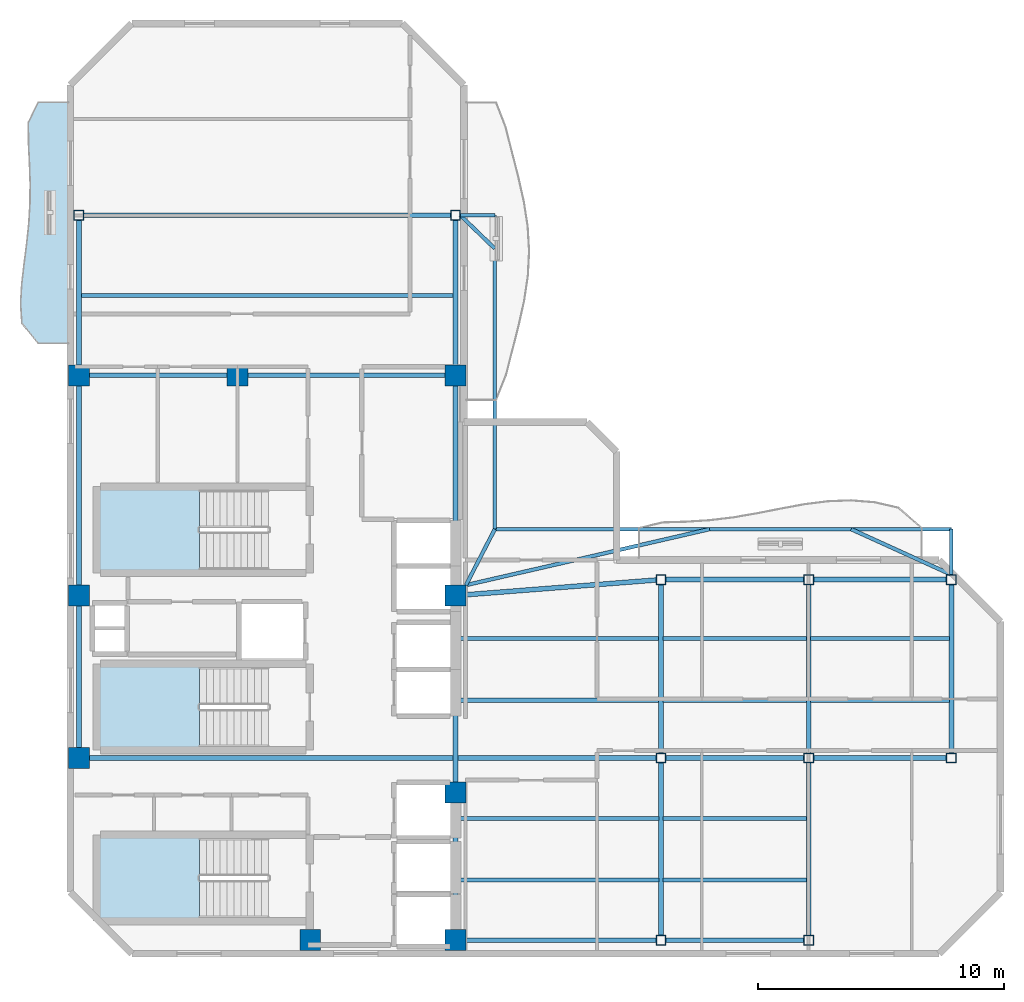
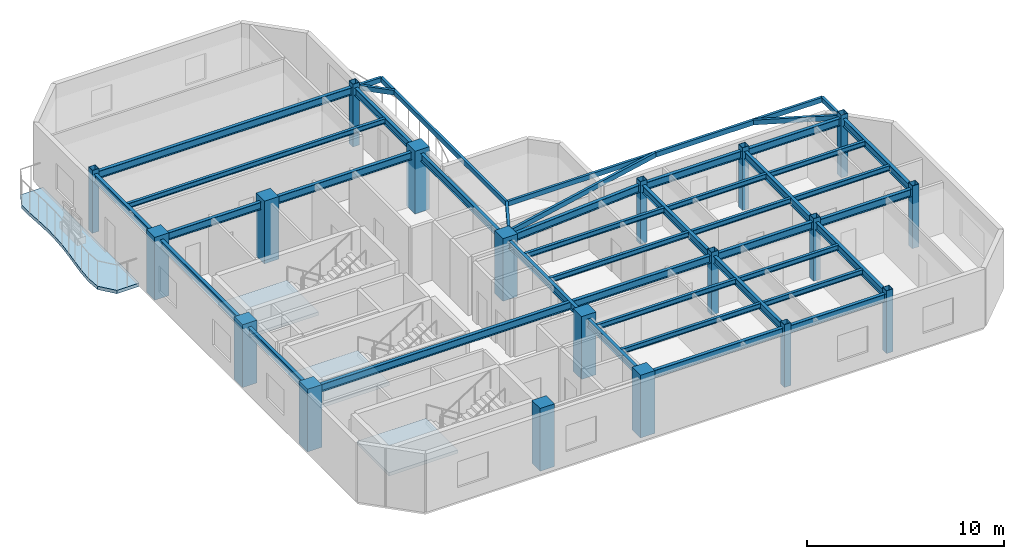
# One storey, part 1 of 7: 42 beams, 19 columns, 4 slabs, 3 elements without a shape of their own.
"""IFC4 building model written with IfcOpenShell, lengths in metres."""

from ifc_helpers import new_model, si_unit, direction, frame, origin, origin_2d, place, context, subcontext, project, spatial, polyline, rectangle, hollow_rectangle, i_section, outline, extrude, material, layer, layer_set, material_profile, profile_set, type_object, element, aggregate, save


model = new_model("IFC4")

# Units and contexts
model_context = context("Model", 3, precision=1e-05, world=origin(), true_north=direction((0.0, 1.0)))
body_context = subcontext(model_context, "Body", "Model", "MODEL_VIEW")
ifc_project = project(units=[si_unit("LENGTHUNIT", "METRE"), si_unit("AREAUNIT", "SQUARE_METRE"), si_unit("VOLUMEUNIT", "CUBIC_METRE"), si_unit("PLANEANGLEUNIT", "RADIAN"), si_unit("MASSUNIT", "GRAM", prefix="KILO")], contexts=[model_context])

# Site, building, storey
site_placement = place(None, origin())
site = spatial("IfcSite", under=ifc_project, at=site_placement, CompositionType="ELEMENT")
building_placement = place(site_placement, origin())
building = spatial("IfcBuilding", under=site, at=building_placement, Name="Mawjaban Terraces University", CompositionType="ELEMENT")
storey_placement = place(building_placement, frame((0.0, 0.0, 302.800048828125)))
storey = spatial("IfcBuildingStorey", under=building, at=storey_placement, Name="L74", CompositionType="ELEMENT", Elevation=302.800048828125)

# Columns
ifc_material_1 = material(Name="Concrete C50/60", Category="concrete")
ifc_material_profile_1 = material_profile(ifc_material_1, rectangle(XDim=0.85009765625, YDim=0.85009765625, at=origin_2d()), Name="RC850X850")
ifc_profile_set_1 = profile_set([ifc_material_profile_1], Name="Concrete C50/60")
column_type_1 = type_object("IfcColumnType", Name="Col_RC850X850", PredefinedType="COLUMN", material=ifc_profile_set_1)
for number, where, z_axis, x_axis, name in (
    (1, (31.75, 0.550048828125, 0.0), (0.0, 0.0, 1.0), (1.0, 0.0, 0.0), "L74 Column CC2"),
    (2, (37.64990234375, 0.550048828125, 0.0), (0.0, 0.0, 1.0), (1.0, 0.0, 0.0), "L74 Column CC3"),
    (3, (22.35009765625, 7.949951171875, 0.0), (0.0, 0.0, 1.0), (1.0, 0.0, 0.0), "L74 Column CC4"),
    (4, (37.64990234375, 6.550048828125, 0.0), (0.0, 0.0, 1.0), (1.0, 0.0, 0.0), "L74 Column CC5"),
    (5, (22.35009765625, 14.550048828125, 0.0), (0.0, 0.0, 1.0), (1.0, 0.0, 0.0), "L74 Column CC6"),
    (6, (37.64990234375, 14.550048828125, 0.0), (0.0, 0.0, 1.0), (1.0, 0.0, 0.0), "L74 Column CC7"),
    (7, (22.35009765625, 23.5, 0.0), (0.0, 0.0, 1.0), (1.0, 0.0, 0.0), "L74 Column CC8"),
    (8, (28.800048828125, 23.5, 0.0), (0.0, 0.0, 1.0), (1.0, 0.0, 0.0), "L74 Column CC9"),
    (9, (37.64990234375, 23.5, 0.0), (0.0, 0.0, 1.0), (1.0, 0.0, 0.0), "L74 Column CC10"),
):
    element("IfcColumn", number, at=place(storey_placement, frame(where, z_axis=z_axis, x_axis=x_axis)), inside=storey, type_object=column_type_1, Name=name, PredefinedType="COLUMN", context=body_context, shape_type="SweptSolid", body=[
        extrude(rectangle(XDim=0.85009765625, YDim=0.85009765625, at=origin_2d()), origin(), (0.0, 0.0, 1.0), 3.89990234375),
    ])
ifc_material_2 = material(Name="Steel EN 10210-1 S355J2H", Category="steel")
ifc_material_profile_2 = material_profile(ifc_material_2, hollow_rectangle(XDim=0.39990234375, YDim=0.39990234375, WallThickness=0.02001953125, at=origin_2d()), Name="SHS400X400X20")
ifc_profile_set_2 = profile_set([ifc_material_profile_2], Name="Steel EN 10210-1 S355J2H")
column_type_2 = type_object("IfcColumnType", Name="Col_SHS400X400X20", PredefinedType="COLUMN", material=ifc_profile_set_2)
for number, where, z_axis, x_axis, name in (
    (10, (46.0, 0.550048828125, 0.0), (0.0, 0.0, 1.0), (1.0, 0.0, 0.0), "L74 Column TE-460-005"),
    (11, (46.0, 7.949951171875, 0.0), (0.0, 0.0, 1.0), (1.0, 0.0, 0.0), "L74 Column TE-460-080"),
    (12, (46.0, 15.199951171875, 0.0), (0.0, 0.0, 1.0), (1.0, 0.0, 0.0), "L74 Column TE-460-152"),
    (13, (52.0, 0.550048828125, 0.0), (0.0, 0.0, 1.0), (1.0, 0.0, 0.0), "L74 Column TE-520-005"),
    (14, (52.0, 7.949951171875, 0.0), (0.0, 0.0, 1.0), (1.0, 0.0, 0.0), "L74 Column TE-520-080"),
    (15, (52.0, 15.199951171875, 0.0), (0.0, 0.0, 1.0), (1.0, 0.0, 0.0), "L74 Column TE-520-152"),
    (16, (57.800048828125, 7.949951171875, 0.0), (0.0, 0.0, 1.0), (1.0, 0.0, 0.0), "L74 Column TE-578-080"),
    (17, (57.800048828125, 15.199951171875, 0.0), (0.0, 0.0, 1.0), (1.0, 0.0, 0.0), "L74 Column TE-578-152"),
    (18, (22.35009765625, 30.0, 0.0), (0.0, 0.0, 1.0), (1.0, 0.0, 0.0), "L74 Column TN-223-300"),
    (19, (37.64990234375, 30.0, 0.0), (0.0, 0.0, 1.0), (1.0, 0.0, 0.0), "L74 Column TN-376-300"),
):
    element("IfcColumn", number, at=place(storey_placement, frame(where, z_axis=z_axis, x_axis=x_axis)), inside=storey, type_object=column_type_2, Name=name, PredefinedType="COLUMN", context=body_context, shape_type="SweptSolid", body=[
        extrude(hollow_rectangle(XDim=0.39990234375, YDim=0.39990234375, WallThickness=0.02001953125, at=origin_2d()), origin(), (0.0, 0.0, 1.0), 3.89990234375),
    ])

# Beams
ifc_material_profile_3 = material_profile(ifc_material_2, hollow_rectangle(XDim=0.14990234375, YDim=0.300048828125, WallThickness=0.012451171875, at=origin_2d()), Name="RHS300X150X12.5")
ifc_profile_set_3 = profile_set([ifc_material_profile_3], Name="Steel EN 10210-1 S355J2H")
beam_type_1 = type_object("IfcBeamType", Name="BalconyCantileverSpandrel_RHS", PredefinedType="SPANDREL", material=ifc_profile_set_3)
beam_1_placement = place(storey_placement, frame((38.074951171875, 14.97509765625, 3.489990234375), z_axis=(0.458922210771, 0.88847645127, 0.0), x_axis=(-0.88847645127, 0.458922210771, 0.0)))
element("IfcBeam", 20, at=beam_1_placement, inside=storey, type_object=beam_type_1, Name="L74 Corner Outrigger BAL-L75-N", PredefinedType="SPANDREL", context=body_context, shape_type="SweptSolid", body=[
    extrude(hollow_rectangle(XDim=0.14990234375, YDim=0.300048828125, WallThickness=0.012451171875, at=origin_2d()), origin(), (0.0, 0.0, 1.0), 2.560546875),
])
beam_2_placement = place(storey_placement, frame((57.800048828125, 15.39990234375, 3.489990234375), z_axis=(0.0, 1.0, 0.0), x_axis=(-1.0, 0.0, 0.0)))
element("IfcBeam", 21, at=beam_2_placement, inside=storey, type_object=beam_type_1, Name="L74 Exterior Outrigger BAL-L75-N.2", PredefinedType="SPANDREL", context=body_context, shape_type="SweptSolid", body=[
    extrude(hollow_rectangle(XDim=0.14990234375, YDim=0.300048828125, WallThickness=0.012451171875, at=origin_2d()), origin(), (0.0, 0.0, 1.0), 1.85009765625),
])
beam_3_placement = place(storey_placement, frame((39.25, 17.25, 3.489990234375), z_axis=(1.0, 0.0, 0.0), x_axis=(0.0, 1.0, 0.0)))
element("IfcBeam", 22, at=beam_3_placement, inside=storey, type_object=beam_type_1, Name="L74 Exterior Edge Spandrel BAL-L75-N", PredefinedType="SPANDREL", context=body_context, shape_type="SweptSolid", body=[
    extrude(hollow_rectangle(XDim=0.14990234375, YDim=0.300048828125, WallThickness=0.012451171875, at=origin_2d()), origin(), (0.0, 0.0, 1.0), 18.550048828125),
])
beam_4_placement = place(storey_placement, frame((38.074951171875, 14.97509765625, 3.489990234375), z_axis=(0.974600999447, 0.223948413426, 0.0), x_axis=(-0.223948413426, 0.974600999447, 0.0)))
element("IfcBeam", 23, at=beam_4_placement, inside=storey, type_object=beam_type_1, Name="L74 Exterior Diagonal Strut BAL-L75-N.1", PredefinedType="SPANDREL", context=body_context, shape_type="SweptSolid", body=[
    extrude(hollow_rectangle(XDim=0.14990234375, YDim=0.300048828125, WallThickness=0.012451171875, at=origin_2d()), origin(), (0.0, 0.0, 1.0), 10.158203125),
])
beam_5_placement = place(storey_placement, frame((57.800048828125, 15.39990234375, 3.489990234375), z_axis=(-0.910547611438, 0.413404217811, 0.0), x_axis=(-0.413404217811, -0.910547611438, 0.0)))
element("IfcBeam", 24, at=beam_5_placement, inside=storey, type_object=beam_type_1, Name="L74 Exterior Diagonal Strut BAL-L75-N.2", PredefinedType="SPANDREL", context=body_context, shape_type="SweptSolid", body=[
    extrude(hollow_rectangle(XDim=0.14990234375, YDim=0.300048828125, WallThickness=0.012451171875, at=origin_2d()), origin(), (0.0, 0.0, 1.0), 4.475341796875),
])
beam_6_placement = place(storey_placement, frame((37.85009765625, 30.0, 3.489990234375), z_axis=(1.0, 0.0, 0.0), x_axis=(0.0, 1.0, 0.0)))
element("IfcBeam", 25, at=beam_6_placement, inside=storey, type_object=beam_type_1, Name="L74 Exterior Outrigger BAL-L75-E.2", PredefinedType="SPANDREL", context=body_context, shape_type="SweptSolid", body=[
    extrude(hollow_rectangle(XDim=0.14990234375, YDim=0.300048828125, WallThickness=0.012451171875, at=origin_2d()), origin(), (0.0, 0.0, 1.0), 1.39990234375),
])
beam_7_placement = place(storey_placement, frame((39.25, 17.25, 3.489990234375), z_axis=(0.0, 1.0, 0.0), x_axis=(-1.0, 0.0, 0.0)))
element("IfcBeam", 26, at=beam_7_placement, inside=storey, type_object=beam_type_1, Name="L74 Exterior Edge Spandrel BAL-L75-E", PredefinedType="SPANDREL", context=body_context, shape_type="SweptSolid", body=[
    extrude(hollow_rectangle(XDim=0.14990234375, YDim=0.300048828125, WallThickness=0.012451171875, at=origin_2d()), origin(), (0.0, 0.0, 1.0), 12.75),
])
beam_8_placement = place(storey_placement, frame((37.85009765625, 30.0, 3.489990234375), z_axis=(0.719795010433, -0.69418667731, 0.0), x_axis=(0.69418667731, 0.719795010433, 0.0)))
element("IfcBeam", 27, at=beam_8_placement, inside=storey, type_object=beam_type_1, Name="L74 Exterior Diagonal Strut BAL-L75-E.1", PredefinedType="SPANDREL", context=body_context, shape_type="SweptSolid", body=[
    extrude(hollow_rectangle(XDim=0.14990234375, YDim=0.300048828125, WallThickness=0.012451171875, at=origin_2d()), origin(), (0.0, 0.0, 1.0), 1.94482421875),
])
ifc_material_3 = material(Name="Steel ASTM A572 Grade 50", Category="steel")
ifc_material_profile_4 = material_profile(ifc_material_3, i_section(OverallWidth=0.194091796875, OverallDepth=0.468994140625, WebThickness=0.011474609375, FlangeThickness=0.0205078125, at=origin_2d()), Name="W460X106")
ifc_profile_set_4 = profile_set([ifc_material_profile_4], Name="Steel ASTM A572 Grade 50")
beam_type_2 = type_object("IfcBeamType", Name="Beam_B_W460X106", PredefinedType="BEAM", material=ifc_profile_set_4)
beam_9_placement = place(storey_placement, frame((38.074951171875, 0.550048828125, 3.405029296875), z_axis=(1.0, 0.0, 0.0), x_axis=(0.0, 1.0, 0.0)))
element("IfcBeam", 28, at=beam_9_placement, inside=storey, type_object=beam_type_2, Name="L74 Beam BM-L74-EW-01", PredefinedType="BEAM", context=body_context, shape_type="SweptSolid", body=[
    extrude(i_section(OverallWidth=0.194091796875, OverallDepth=0.468994140625, WebThickness=0.011474609375, FlangeThickness=0.0205078125, at=origin_2d()), origin(), (0.0, 0.0, 1.0), 7.72509765625),
])
beam_10_placement = place(storey_placement, frame((46.199951171875, 0.550048828125, 3.405029296875), z_axis=(1.0, 0.0, 0.0), x_axis=(0.0, 1.0, 0.0)))
element("IfcBeam", 29, at=beam_10_placement, inside=storey, type_object=beam_type_2, Name="L74 Beam BM-L74-EW-02", PredefinedType="BEAM", context=body_context, shape_type="SweptSolid", body=[
    extrude(i_section(OverallWidth=0.194091796875, OverallDepth=0.468994140625, WebThickness=0.011474609375, FlangeThickness=0.0205078125, at=origin_2d()), origin(), (0.0, 0.0, 1.0), 5.60009765625),
])
beam_11_placement = place(storey_placement, frame((22.77490234375, 7.949951171875, 3.405029296875), z_axis=(1.0, 0.0, 0.0), x_axis=(0.0, 1.0, 0.0)))
element("IfcBeam", 30, at=beam_11_placement, inside=storey, type_object=beam_type_2, Name="L74 Beam BM-L74-EW-03", PredefinedType="BEAM", context=body_context, shape_type="SweptSolid", body=[
    extrude(i_section(OverallWidth=0.194091796875, OverallDepth=0.468994140625, WebThickness=0.011474609375, FlangeThickness=0.0205078125, at=origin_2d()), origin(), (0.0, 0.0, 1.0), 23.025146484375),
])
beam_12_placement = place(storey_placement, frame((46.199951171875, 7.949951171875, 3.405029296875), z_axis=(1.0, 0.0, 0.0), x_axis=(0.0, 1.0, 0.0)))
element("IfcBeam", 31, at=beam_12_placement, inside=storey, type_object=beam_type_2, Name="L74 Beam BM-L74-EW-04", PredefinedType="BEAM", context=body_context, shape_type="SweptSolid", body=[
    extrude(i_section(OverallWidth=0.194091796875, OverallDepth=0.468994140625, WebThickness=0.011474609375, FlangeThickness=0.0205078125, at=origin_2d()), origin(), (0.0, 0.0, 1.0), 5.60009765625),
])
beam_13_placement = place(storey_placement, frame((52.199951171875, 7.949951171875, 3.405029296875), z_axis=(1.0, 0.0, 0.0), x_axis=(0.0, 1.0, 0.0)))
element("IfcBeam", 32, at=beam_13_placement, inside=storey, type_object=beam_type_2, Name="L74 Beam BM-L74-EW-05", PredefinedType="BEAM", context=body_context, shape_type="SweptSolid", body=[
    extrude(i_section(OverallWidth=0.194091796875, OverallDepth=0.468994140625, WebThickness=0.011474609375, FlangeThickness=0.0205078125, at=origin_2d()), origin(), (0.0, 0.0, 1.0), 5.400146484375),
])
beam_14_placement = place(storey_placement, frame((46.199951171875, 15.199951171875, 3.405029296875), z_axis=(1.0, 0.0, 0.0), x_axis=(0.0, 1.0, 0.0)))
element("IfcBeam", 33, at=beam_14_placement, inside=storey, type_object=beam_type_2, Name="L74 Beam BM-L74-EW-06", PredefinedType="BEAM", context=body_context, shape_type="SweptSolid", body=[
    extrude(i_section(OverallWidth=0.194091796875, OverallDepth=0.468994140625, WebThickness=0.011474609375, FlangeThickness=0.0205078125, at=origin_2d()), origin(), (0.0, 0.0, 1.0), 5.60009765625),
])
beam_15_placement = place(storey_placement, frame((52.199951171875, 15.199951171875, 3.405029296875), z_axis=(1.0, 0.0, 0.0), x_axis=(0.0, 1.0, 0.0)))
element("IfcBeam", 34, at=beam_15_placement, inside=storey, type_object=beam_type_2, Name="L74 Beam BM-L74-EW-07", PredefinedType="BEAM", context=body_context, shape_type="SweptSolid", body=[
    extrude(i_section(OverallWidth=0.194091796875, OverallDepth=0.468994140625, WebThickness=0.011474609375, FlangeThickness=0.0205078125, at=origin_2d()), origin(), (0.0, 0.0, 1.0), 5.400146484375),
])
beam_16_placement = place(storey_placement, frame((22.77490234375, 23.5, 3.405029296875), z_axis=(1.0, 0.0, 0.0), x_axis=(0.0, 1.0, 0.0)))
element("IfcBeam", 35, at=beam_16_placement, inside=storey, type_object=beam_type_2, Name="L74 Beam BM-L74-EW-08", PredefinedType="BEAM", context=body_context, shape_type="SweptSolid", body=[
    extrude(i_section(OverallWidth=0.194091796875, OverallDepth=0.468994140625, WebThickness=0.011474609375, FlangeThickness=0.0205078125, at=origin_2d()), origin(), (0.0, 0.0, 1.0), 5.60009765625),
])
beam_17_placement = place(storey_placement, frame((29.22509765625, 23.5, 3.405029296875), z_axis=(1.0, 0.0, 0.0), x_axis=(0.0, 1.0, 0.0)))
element("IfcBeam", 36, at=beam_17_placement, inside=storey, type_object=beam_type_2, Name="L74 Beam BM-L74-EW-09", PredefinedType="BEAM", context=body_context, shape_type="SweptSolid", body=[
    extrude(i_section(OverallWidth=0.194091796875, OverallDepth=0.468994140625, WebThickness=0.011474609375, FlangeThickness=0.0205078125, at=origin_2d()), origin(), (0.0, 0.0, 1.0), 8.0),
])
beam_18_placement = place(storey_placement, frame((22.550048828125, 30.0, 3.405029296875), z_axis=(1.0, 0.0, 0.0), x_axis=(0.0, 1.0, 0.0)))
element("IfcBeam", 37, at=beam_18_placement, inside=storey, type_object=beam_type_2, Name="L74 Beam BM-L74-EW-10", PredefinedType="BEAM", context=body_context, shape_type="SweptSolid", body=[
    extrude(i_section(OverallWidth=0.194091796875, OverallDepth=0.468994140625, WebThickness=0.011474609375, FlangeThickness=0.0205078125, at=origin_2d()), origin(), (0.0, 0.0, 1.0), 14.89990234375),
])
beam_19_placement = place(storey_placement, frame((22.35009765625, 8.375, 3.405029296875), z_axis=(0.0, 1.0, 0.0), x_axis=(-1.0, 0.0, 0.0)))
element("IfcBeam", 38, at=beam_19_placement, inside=storey, type_object=beam_type_2, Name="L74 Beam BM-L74-NS-01", PredefinedType="BEAM", context=body_context, shape_type="SweptSolid", body=[
    extrude(i_section(OverallWidth=0.194091796875, OverallDepth=0.468994140625, WebThickness=0.011474609375, FlangeThickness=0.0205078125, at=origin_2d()), origin(), (0.0, 0.0, 1.0), 5.75),
])
beam_20_placement = place(storey_placement, frame((22.35009765625, 14.97509765625, 3.405029296875), z_axis=(0.0, 1.0, 0.0), x_axis=(-1.0, 0.0, 0.0)))
element("IfcBeam", 39, at=beam_20_placement, inside=storey, type_object=beam_type_2, Name="L74 Beam BM-L74-NS-02", PredefinedType="BEAM", context=body_context, shape_type="SweptSolid", body=[
    extrude(i_section(OverallWidth=0.194091796875, OverallDepth=0.468994140625, WebThickness=0.011474609375, FlangeThickness=0.0205078125, at=origin_2d()), origin(), (0.0, 0.0, 1.0), 8.099853515625),
])
beam_21_placement = place(storey_placement, frame((22.35009765625, 23.925048828125, 3.405029296875), z_axis=(0.0, 1.0, 0.0), x_axis=(-1.0, 0.0, 0.0)))
element("IfcBeam", 40, at=beam_21_placement, inside=storey, type_object=beam_type_2, Name="L74 Beam BM-L74-NS-03", PredefinedType="BEAM", context=body_context, shape_type="SweptSolid", body=[
    extrude(i_section(OverallWidth=0.194091796875, OverallDepth=0.468994140625, WebThickness=0.011474609375, FlangeThickness=0.0205078125, at=origin_2d()), origin(), (0.0, 0.0, 1.0), 5.875),
])
beam_22_placement = place(storey_placement, frame((37.64990234375, 0.97509765625, 3.405029296875), z_axis=(0.0, 1.0, 0.0), x_axis=(-1.0, 0.0, 0.0)))
element("IfcBeam", 41, at=beam_22_placement, inside=storey, type_object=beam_type_2, Name="L74 Beam BM-L74-NS-04", PredefinedType="BEAM", context=body_context, shape_type="SweptSolid", body=[
    extrude(i_section(OverallWidth=0.194091796875, OverallDepth=0.468994140625, WebThickness=0.011474609375, FlangeThickness=0.0205078125, at=origin_2d()), origin(), (0.0, 0.0, 1.0), 5.14990234375),
])
beam_23_placement = place(storey_placement, frame((37.64990234375, 6.97509765625, 3.405029296875), z_axis=(0.0, 1.0, 0.0), x_axis=(-1.0, 0.0, 0.0)))
element("IfcBeam", 42, at=beam_23_placement, inside=storey, type_object=beam_type_2, Name="L74 Beam BM-L74-NS-05", PredefinedType="BEAM", context=body_context, shape_type="SweptSolid", body=[
    extrude(i_section(OverallWidth=0.194091796875, OverallDepth=0.468994140625, WebThickness=0.011474609375, FlangeThickness=0.0205078125, at=origin_2d()), origin(), (0.0, 0.0, 1.0), 7.14990234375),
])
beam_24_placement = place(storey_placement, frame((37.64990234375, 14.97509765625, 3.405029296875), z_axis=(0.0, 1.0, 0.0), x_axis=(-1.0, 0.0, 0.0)))
element("IfcBeam", 43, at=beam_24_placement, inside=storey, type_object=beam_type_2, Name="L74 Beam BM-L74-NS-06", PredefinedType="BEAM", context=body_context, shape_type="SweptSolid", body=[
    extrude(i_section(OverallWidth=0.194091796875, OverallDepth=0.468994140625, WebThickness=0.011474609375, FlangeThickness=0.0205078125, at=origin_2d()), origin(), (0.0, 0.0, 1.0), 8.099853515625),
])
beam_25_placement = place(storey_placement, frame((37.64990234375, 23.925048828125, 3.405029296875), z_axis=(0.0, 1.0, 0.0), x_axis=(-1.0, 0.0, 0.0)))
element("IfcBeam", 44, at=beam_25_placement, inside=storey, type_object=beam_type_2, Name="L74 Beam BM-L74-NS-07", PredefinedType="BEAM", context=body_context, shape_type="SweptSolid", body=[
    extrude(i_section(OverallWidth=0.194091796875, OverallDepth=0.468994140625, WebThickness=0.011474609375, FlangeThickness=0.0205078125, at=origin_2d()), origin(), (0.0, 0.0, 1.0), 5.875),
])
beam_26_placement = place(storey_placement, frame((46.0, 0.75, 3.405029296875), z_axis=(0.0, 1.0, 0.0), x_axis=(-1.0, 0.0, 0.0)))
element("IfcBeam", 45, at=beam_26_placement, inside=storey, type_object=beam_type_2, Name="L74 Beam BM-L74-NS-08", PredefinedType="BEAM", context=body_context, shape_type="SweptSolid", body=[
    extrude(i_section(OverallWidth=0.194091796875, OverallDepth=0.468994140625, WebThickness=0.011474609375, FlangeThickness=0.0205078125, at=origin_2d()), origin(), (0.0, 0.0, 1.0), 7.0),
])
beam_27_placement = place(storey_placement, frame((46.0, 8.14990234375, 3.405029296875), z_axis=(0.0, 1.0, 0.0), x_axis=(-1.0, 0.0, 0.0)))
element("IfcBeam", 46, at=beam_27_placement, inside=storey, type_object=beam_type_2, Name="L74 Beam BM-L74-NS-09", PredefinedType="BEAM", context=body_context, shape_type="SweptSolid", body=[
    extrude(i_section(OverallWidth=0.194091796875, OverallDepth=0.468994140625, WebThickness=0.011474609375, FlangeThickness=0.0205078125, at=origin_2d()), origin(), (0.0, 0.0, 1.0), 6.85009765625),
])
beam_28_placement = place(storey_placement, frame((52.0, 0.75, 3.405029296875), z_axis=(0.0, 1.0, 0.0), x_axis=(-1.0, 0.0, 0.0)))
element("IfcBeam", 47, at=beam_28_placement, inside=storey, type_object=beam_type_2, Name="L74 Beam BM-L74-NS-10", PredefinedType="BEAM", context=body_context, shape_type="SweptSolid", body=[
    extrude(i_section(OverallWidth=0.194091796875, OverallDepth=0.468994140625, WebThickness=0.011474609375, FlangeThickness=0.0205078125, at=origin_2d()), origin(), (0.0, 0.0, 1.0), 7.0),
])
for number, where, z_axis, x_axis, name in (
    (48, (52.0, 8.14990234375, 3.405029296875), (0.0, 1.0, 0.0), (-1.0, 0.0, 0.0), "L74 Beam BM-L74-NS-11"),
    (49, (57.800048828125, 8.14990234375, 3.405029296875), (0.0, 1.0, 0.0), (-1.0, 0.0, 0.0), "L74 Beam BM-L74-NS-12"),
):
    element("IfcBeam", number, at=place(storey_placement, frame(where, z_axis=z_axis, x_axis=x_axis)), inside=storey, type_object=beam_type_2, Name=name, PredefinedType="BEAM", context=body_context, shape_type="SweptSolid", body=[
        extrude(i_section(OverallWidth=0.194091796875, OverallDepth=0.468994140625, WebThickness=0.011474609375, FlangeThickness=0.0205078125, at=origin_2d()), origin(), (0.0, 0.0, 1.0), 6.85009765625),
    ])
beam_29_placement = place(storey_placement, frame((38.073974609375, 14.5830078125, 3.405029296875), z_axis=(0.996988151141, 0.077554023005, 0.0), x_axis=(-0.077554023005, 0.996988151141, 0.0)))
element("IfcBeam", 50, at=beam_29_placement, inside=storey, type_object=beam_type_2, Name="L74 Beam BM-L74-CTIE", PredefinedType="BEAM", context=body_context, shape_type="SweptSolid", body=[
    extrude(i_section(OverallWidth=0.194091796875, OverallDepth=0.468994140625, WebThickness=0.011474609375, FlangeThickness=0.0205078125, at=origin_2d()), origin(), (0.0, 0.0, 1.0), 7.75048828125),
])
ifc_material_profile_5 = material_profile(ifc_material_3, i_section(OverallWidth=0.1669921875, OverallDepth=0.318115234375, WebThickness=0.007568359375, FlangeThickness=0.01318359375, at=origin_2d()), Name="W310X52")
ifc_profile_set_5 = profile_set([ifc_material_profile_5], Name="Steel ASTM A572 Grade 50")
beam_type_3 = type_object("IfcBeamType", Name="Beam_J_W310X52", PredefinedType="JOIST", material=ifc_profile_set_5)
beam_30_placement = place(storey_placement, frame((37.72998046875, 3.0, 3.48095703125), z_axis=(1.0, 0.0, 0.0), x_axis=(0.0, 1.0, 0.0)))
element("IfcBeam", 51, at=beam_30_placement, inside=storey, type_object=beam_type_3, Name="L74 Composite Joist JST-L74-01", PredefinedType="JOIST", context=body_context, shape_type="SweptSolid", body=[
    extrude(i_section(OverallWidth=0.1669921875, OverallDepth=0.318115234375, WebThickness=0.007568359375, FlangeThickness=0.01318359375, at=origin_2d()), origin(), (0.0, 0.0, 1.0), 8.18994140625),
])
beam_31_placement = place(storey_placement, frame((46.080078125, 3.0, 3.48095703125), z_axis=(1.0, 0.0, 0.0), x_axis=(0.0, 1.0, 0.0)))
element("IfcBeam", 52, at=beam_31_placement, inside=storey, type_object=beam_type_3, Name="L74 Composite Joist JST-L74-02", PredefinedType="JOIST", context=body_context, shape_type="SweptSolid", body=[
    extrude(i_section(OverallWidth=0.1669921875, OverallDepth=0.318115234375, WebThickness=0.007568359375, FlangeThickness=0.01318359375, at=origin_2d()), origin(), (0.0, 0.0, 1.0), 5.83984375),
])
beam_32_placement = place(storey_placement, frame((37.72998046875, 5.5, 3.48095703125), z_axis=(1.0, 0.0, 0.0), x_axis=(0.0, 1.0, 0.0)))
element("IfcBeam", 53, at=beam_32_placement, inside=storey, type_object=beam_type_3, Name="L74 Composite Joist JST-L74-03", PredefinedType="JOIST", context=body_context, shape_type="SweptSolid", body=[
    extrude(i_section(OverallWidth=0.1669921875, OverallDepth=0.318115234375, WebThickness=0.007568359375, FlangeThickness=0.01318359375, at=origin_2d()), origin(), (0.0, 0.0, 1.0), 8.18994140625),
])
beam_33_placement = place(storey_placement, frame((46.080078125, 5.5, 3.48095703125), z_axis=(1.0, 0.0, 0.0), x_axis=(0.0, 1.0, 0.0)))
element("IfcBeam", 54, at=beam_33_placement, inside=storey, type_object=beam_type_3, Name="L74 Composite Joist JST-L74-04", PredefinedType="JOIST", context=body_context, shape_type="SweptSolid", body=[
    extrude(i_section(OverallWidth=0.1669921875, OverallDepth=0.318115234375, WebThickness=0.007568359375, FlangeThickness=0.01318359375, at=origin_2d()), origin(), (0.0, 0.0, 1.0), 5.83984375),
])
beam_34_placement = place(storey_placement, frame((37.72998046875, 10.300048828125, 3.48095703125), z_axis=(1.0, 0.0, 0.0), x_axis=(0.0, 1.0, 0.0)))
element("IfcBeam", 55, at=beam_34_placement, inside=storey, type_object=beam_type_3, Name="L74 Composite Joist JST-L74-05", PredefinedType="JOIST", context=body_context, shape_type="SweptSolid", body=[
    extrude(i_section(OverallWidth=0.1669921875, OverallDepth=0.318115234375, WebThickness=0.007568359375, FlangeThickness=0.01318359375, at=origin_2d()), origin(), (0.0, 0.0, 1.0), 8.18994140625),
])
beam_35_placement = place(storey_placement, frame((46.080078125, 10.300048828125, 3.48095703125), z_axis=(1.0, 0.0, 0.0), x_axis=(0.0, 1.0, 0.0)))
element("IfcBeam", 56, at=beam_35_placement, inside=storey, type_object=beam_type_3, Name="L74 Composite Joist JST-L74-06", PredefinedType="JOIST", context=body_context, shape_type="SweptSolid", body=[
    extrude(i_section(OverallWidth=0.1669921875, OverallDepth=0.318115234375, WebThickness=0.007568359375, FlangeThickness=0.01318359375, at=origin_2d()), origin(), (0.0, 0.0, 1.0), 5.83984375),
])
beam_36_placement = place(storey_placement, frame((52.080078125, 10.300048828125, 3.48095703125), z_axis=(1.0, 0.0, 0.0), x_axis=(0.0, 1.0, 0.0)))
element("IfcBeam", 57, at=beam_36_placement, inside=storey, type_object=beam_type_3, Name="L74 Composite Joist JST-L74-07", PredefinedType="JOIST", context=body_context, shape_type="SweptSolid", body=[
    extrude(i_section(OverallWidth=0.1669921875, OverallDepth=0.318115234375, WebThickness=0.007568359375, FlangeThickness=0.01318359375, at=origin_2d()), origin(), (0.0, 0.0, 1.0), 5.639892578125),
])
beam_37_placement = place(storey_placement, frame((37.72998046875, 12.800048828125, 3.48095703125), z_axis=(1.0, 0.0, 0.0), x_axis=(0.0, 1.0, 0.0)))
element("IfcBeam", 58, at=beam_37_placement, inside=storey, type_object=beam_type_3, Name="L74 Composite Joist JST-L74-08", PredefinedType="JOIST", context=body_context, shape_type="SweptSolid", body=[
    extrude(i_section(OverallWidth=0.1669921875, OverallDepth=0.318115234375, WebThickness=0.007568359375, FlangeThickness=0.01318359375, at=origin_2d()), origin(), (0.0, 0.0, 1.0), 8.18994140625),
])
beam_38_placement = place(storey_placement, frame((46.080078125, 12.800048828125, 3.48095703125), z_axis=(1.0, 0.0, 0.0), x_axis=(0.0, 1.0, 0.0)))
element("IfcBeam", 59, at=beam_38_placement, inside=storey, type_object=beam_type_3, Name="L74 Composite Joist JST-L74-09", PredefinedType="JOIST", context=body_context, shape_type="SweptSolid", body=[
    extrude(i_section(OverallWidth=0.1669921875, OverallDepth=0.318115234375, WebThickness=0.007568359375, FlangeThickness=0.01318359375, at=origin_2d()), origin(), (0.0, 0.0, 1.0), 5.83984375),
])
beam_39_placement = place(storey_placement, frame((52.080078125, 12.800048828125, 3.48095703125), z_axis=(1.0, 0.0, 0.0), x_axis=(0.0, 1.0, 0.0)))
element("IfcBeam", 60, at=beam_39_placement, inside=storey, type_object=beam_type_3, Name="L74 Composite Joist JST-L74-10", PredefinedType="JOIST", context=body_context, shape_type="SweptSolid", body=[
    extrude(i_section(OverallWidth=0.1669921875, OverallDepth=0.318115234375, WebThickness=0.007568359375, FlangeThickness=0.01318359375, at=origin_2d()), origin(), (0.0, 0.0, 1.0), 5.639892578125),
])
beam_40_placement = place(storey_placement, frame((22.429931640625, 26.75, 3.48095703125), z_axis=(1.0, 0.0, 0.0), x_axis=(0.0, 1.0, 0.0)))
element("IfcBeam", 61, at=beam_40_placement, inside=storey, type_object=beam_type_3, Name="L74 Composite Joist JST-L74-11", PredefinedType="JOIST", context=body_context, shape_type="SweptSolid", body=[
    extrude(i_section(OverallWidth=0.1669921875, OverallDepth=0.318115234375, WebThickness=0.007568359375, FlangeThickness=0.01318359375, at=origin_2d()), origin(), (0.0, 0.0, 1.0), 15.14013671875),
])

# Slab
ifc_material_4 = material(Name="Concrete C40/50", Category="concrete")
ifc_layer_1 = layer(ifc_material_4, 0.2099609375)
ifc_layer_set_1 = layer_set([ifc_layer_1], Name="Concrete C40/50")
slab_type_1 = type_object("IfcSlabType", Name="BalconySlab_210_Ext", PredefinedType="FLOOR", material=ifc_layer_set_1)
slab_1_placement = place(storey_placement, frame((0.0, 0.0, -0.2099609375)))
element("IfcSlab", 62, at=slab_1_placement, inside=storey, type_object=slab_type_1, Name="L74 Planted Balcony Slab west", PredefinedType="FLOOR", context=body_context, shape_type="SweptSolid", body=[
    extrude(outline(polyline([(22.010009765625, 24.800048828125), (22.010009765625, 34.60009765625), (20.699951171875, 34.60009765625), (20.297119140625, 33.782958984375), (20.300048828125, 32.967041015625), (20.340087890625, 32.14990234375), (20.368896484375, 31.3330078125), (20.363037109375, 30.51708984375), (20.31591796875, 29.699951171875), (20.23095703125, 28.883056640625), (20.126953125, 28.06689453125), (20.031005859375, 27.25), (19.98095703125, 26.43310546875), (20.032958984375, 25.616943359375), (20.699951171875, 24.800048828125), (22.010009765625, 24.800048828125)])), origin(), (0.0, 0.0, 1.0), 0.2099609375),
])

# Stair, slab
stair_type = type_object("IfcStairType", Name="Stair_Core1550_H39", PredefinedType="HALF_TURN_STAIR", material=ifc_material_4)
stair_1_placement = place(storey_placement, origin())
stair_1 = element("IfcStair", 63, at=stair_1_placement, inside=storey, type_object=stair_type, Name="L74 Core Exit Stair 1", PredefinedType="HALF_TURN_STAIR")
ifc_layer_2 = layer(ifc_material_4, 0.199951171875)
ifc_layer_set_2 = layer_set([ifc_layer_2], Name="Concrete C40/50")
slab_type_2 = type_object("IfcSlabType", Name="StairLandingSlab_200", PredefinedType="LANDING", material=ifc_layer_set_2)
slab_2_placement = place(storey_placement, frame((0.0, 0.0, 1.75)))
slab_2 = element("IfcSlab", 64, at=slab_2_placement, type_object=slab_type_2, Name="ST-1 landing 1", PredefinedType="LANDING", context=body_context, shape_type="SweptSolid", body=[
    extrude(outline(polyline([(27.25, 4.699951171875), (23.199951171875, 4.699951171875), (23.199951171875, 1.449951171875), (27.25, 1.449951171875), (27.25, 4.699951171875)])), origin(), (0.0, 0.0, 1.0), 0.199951171875),
])
aggregate(stair_1, [slab_2])

stair_2_placement = place(storey_placement, origin())
stair_2 = element("IfcStair", 65, at=stair_2_placement, inside=storey, type_object=stair_type, Name="L74 Core Exit Stair 2", PredefinedType="HALF_TURN_STAIR")
slab_3_placement = place(storey_placement, frame((0.0, 0.0, 1.75)))
slab_3 = element("IfcSlab", 66, at=slab_3_placement, type_object=slab_type_2, Name="ST-2 landing 1", PredefinedType="LANDING", context=body_context, shape_type="SweptSolid", body=[
    extrude(outline(polyline([(27.25, 18.85009765625), (23.199951171875, 18.85009765625), (23.199951171875, 15.60009765625), (27.25, 15.60009765625), (27.25, 18.85009765625)])), origin(), (0.0, 0.0, 1.0), 0.199951171875),
])
aggregate(stair_2, [slab_3])

stair_3_placement = place(storey_placement, origin())
stair_3 = element("IfcStair", 67, at=stair_3_placement, inside=storey, type_object=stair_type, Name="L74 Core Exit Stair 3", PredefinedType="HALF_TURN_STAIR")
slab_4_placement = place(storey_placement, frame((0.0, 0.0, 1.75)))
slab_4 = element("IfcSlab", 68, at=slab_4_placement, type_object=slab_type_2, Name="ST-3 landing 1", PredefinedType="LANDING", context=body_context, shape_type="SweptSolid", body=[
    extrude(outline(polyline([(27.25, 11.64990234375), (23.199951171875, 11.64990234375), (23.199951171875, 8.39990234375), (27.25, 8.39990234375), (27.25, 11.64990234375)])), origin(), (0.0, 0.0, 1.0), 0.199951171875),
])
aggregate(stair_3, [slab_4])

save(model, "model.ifc")
